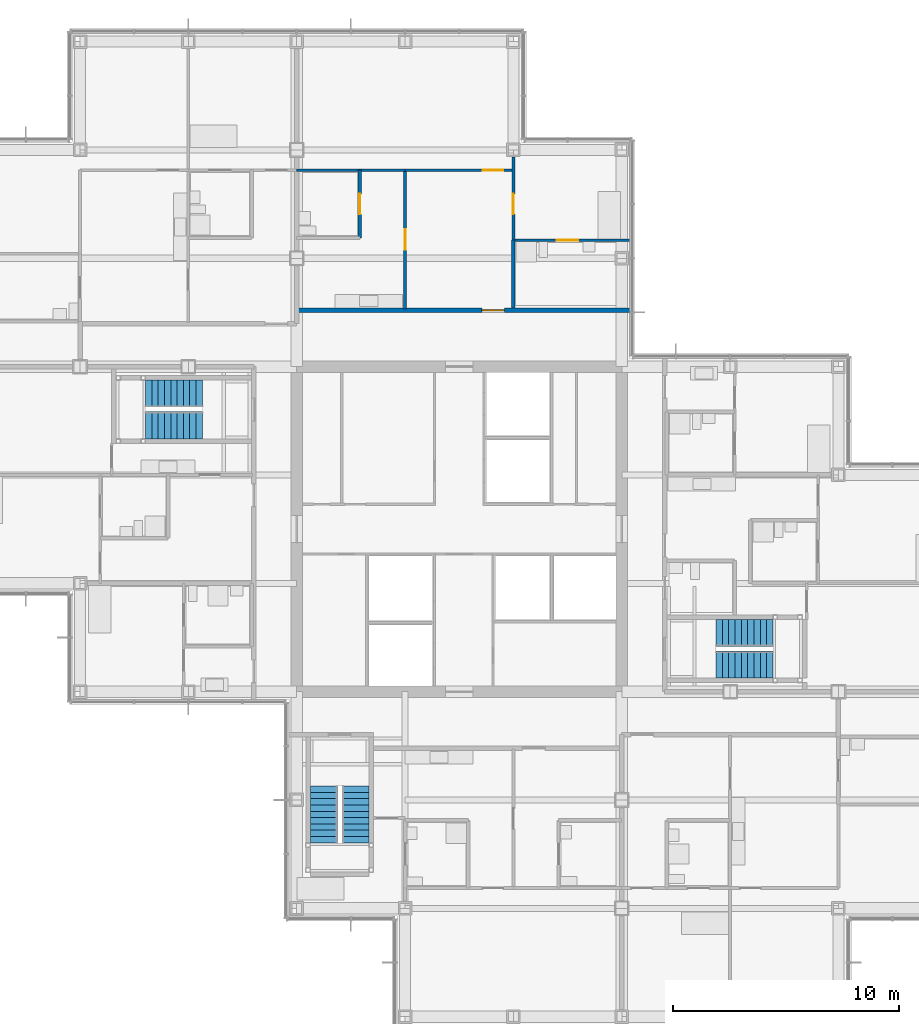
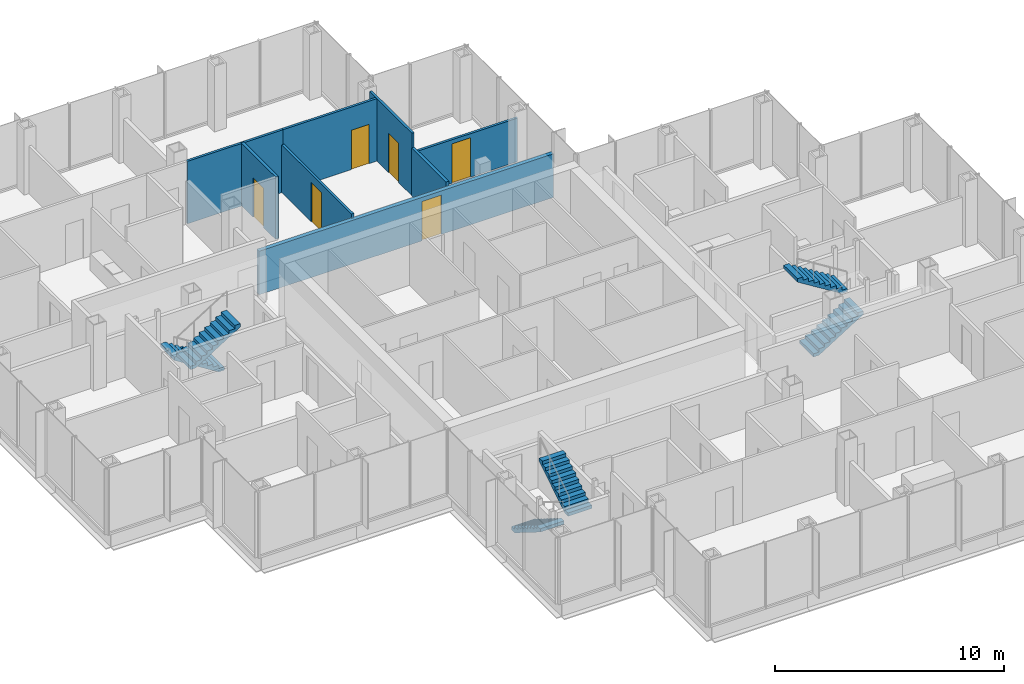
# One storey, part 16 of 19: 8 walls, 6 doors, 6 stair flights, 6 openings, 3 elements without a shape of their own.
"""IFC4 building model written with IfcOpenShell, lengths in metres."""

from ifc_helpers import new_model, si_unit, direction, frame, frame_2d, origin, place, context, subcontext, project, spatial, polyline, rectangle, outline, extrude, material, layer, layer_set, type_object, element, fill, aggregate, save


model = new_model("IFC4")

# Units and contexts
model_context = context("Model", 3, precision=1e-05, world=origin(), true_north=direction((0.0, 1.0)))
body_context = subcontext(model_context, "Body", "Model", "MODEL_VIEW")
ifc_project = project(units=[si_unit("LENGTHUNIT", "METRE"), si_unit("AREAUNIT", "SQUARE_METRE"), si_unit("VOLUMEUNIT", "CUBIC_METRE"), si_unit("PLANEANGLEUNIT", "RADIAN"), si_unit("MASSUNIT", "GRAM", prefix="KILO")], contexts=[model_context])

# Site, building, storey
site_placement = place(None, origin())
site = spatial("IfcSite", under=ifc_project, at=site_placement, CompositionType="ELEMENT")
building_placement = place(site_placement, origin())
building = spatial("IfcBuilding", under=site, at=building_placement, Name="Kvirike Care Tower", CompositionType="ELEMENT")
storey_placement = place(building_placement, frame((0.0, 0.0, 129.5)))
storey = spatial("IfcBuildingStorey", under=building, at=storey_placement, Name="L35", CompositionType="ELEMENT", Elevation=129.5)

# Wall
ifc_material_1 = material(Name="Moisture-resistant board partition", Category="gypsum")
ifc_layer_1 = layer(ifc_material_1, 0.14990234375)
ifc_layer_set_1 = layer_set([ifc_layer_1], Name="BATHROOM WALL 150")
wall_type_1 = type_object("IfcWallType", Name="BATHROOM WALL 150", PredefinedType="PARTITIONING", material=ifc_layer_set_1)
wall_1_placement = place(storey_placement, frame((24.0, 48.800048828125, 0.0), z_axis=(0.0, 0.0, 1.0), x_axis=(0.0, -1.0, 0.0)))
element("IfcWall", 1, at=wall_1_placement, inside=storey, type_object=wall_type_1, Name="Bathroom Wall 150 L35", PredefinedType="PARTITIONING", context=body_context, shape_type="SweptSolid", body=[
    extrude(rectangle(XDim=3.0, YDim=0.14990234375, at=frame_2d((1.5, 0.0))), origin(), (0.0, 0.0, 1.0), 2.550048828125),
])

# Wall, opening, door
wall_2_placement = place(storey_placement, frame((17.199951171875, 51.89990234375, 0.0), z_axis=(0.0, 0.0, 1.0), x_axis=(0.0, -1.0, 0.0)))
wall_2 = element("IfcWall", 2, at=wall_2_placement, inside=storey, type_object=wall_type_1, Name="Bathroom Wall 150 L35", PredefinedType="PARTITIONING", context=body_context, shape_type="SweptSolid", body=[
    extrude(rectangle(XDim=3.0, YDim=0.14990234375, at=frame_2d((1.5, 0.0))), origin(), (0.0, 0.0, 1.0), 3.330078125),
])
opening_1_placement = place(wall_2_placement, frame((1.050048828125, 0.0, 0.0)))
opening_1 = element("IfcOpeningElement", 3, at=opening_1_placement, cuts=wall_2, Name="Opening 35-023", PredefinedType="OPENING", context=body_context, shape_type="SweptSolid", body=[
    extrude(rectangle(XDim=0.89990234375, YDim=2.10009765625, at=frame_2d((0.449951171875, 1.050048828125))), frame((0.0, 0.08544921875, 0.0), z_axis=(0.0, -1.0, 0.0), x_axis=(1.0, 0.0, 0.0)), (0.0, 0.0, 1.0), 0.1708984375),
])
ifc_material_2 = material(Name="Timber door set", Category="wood")
door_type_1 = type_object("IfcDoorType", Name="BATHROOM DOOR 900", OperationType="SINGLE_SWING_RIGHT", PredefinedType="DOOR", material=ifc_material_2)
door_1_placement = place(opening_1_placement, frame((0.89990234375, 0.0, 0.0), z_axis=(0.0, 0.0, 1.0), x_axis=(-1.0, 0.0, 0.0)))
door_1 = element("IfcDoor", 4, at=door_1_placement, inside=storey, type_object=door_type_1, Name="Accessible WC door", OperationType="SINGLE_SWING_RIGHT", OverallHeight=2.10009765625, OverallWidth=0.89990234375, PredefinedType="DOOR", context=body_context, shape_type="SweptSolid", body=[
    extrude(rectangle(XDim=0.89990234375, YDim=2.10009765625, at=frame_2d((0.449951171875, 1.050048828125))), frame((0.0, 0.02197265625, 0.0), z_axis=(0.0, -1.0, 0.0), x_axis=(1.0, 0.0, 0.0)), (0.0, 0.0, 1.0), 0.0439453125),
])
fill(opening_1, door_1)

ifc_material_3 = material(Name="Plasterboard corridor wall", Category="gypsum")
ifc_layer_2 = layer(ifc_material_3, 0.199951171875)
ifc_layer_set_2 = layer_set([ifc_layer_2], Name="CORRIDOR WALL 200")
wall_type_2 = type_object("IfcWallType", Name="CORRIDOR WALL 200", PredefinedType="PARTITIONING", material=ifc_layer_set_2)
wall_3_placement = place(storey_placement, frame((29.239990234375, 45.699951171875, 0.0), z_axis=(0.0, 0.0, 1.0), x_axis=(-1.0, 0.0, 0.0)))
wall_3 = element("IfcWall", 5, at=wall_3_placement, inside=storey, type_object=wall_type_2, Name="Corridor Wall 200 L35", PredefinedType="PARTITIONING", context=body_context, shape_type="SweptSolid", body=[
    extrude(rectangle(XDim=14.840087890625, YDim=0.199951171875, at=frame_2d((7.419921875, 0.0))), origin(), (0.0, 0.0, 1.0), 2.320068359375),
])
opening_2_placement = place(wall_3_placement, frame((5.639892578125, 0.0, 0.0)))
opening_2 = element("IfcOpeningElement", 6, at=opening_2_placement, cuts=wall_3, Name="Opening 35-028", PredefinedType="OPENING", context=body_context, shape_type="SweptSolid", body=[
    extrude(rectangle(XDim=1.0, YDim=2.10009765625, at=frame_2d((0.5, 1.050048828125))), frame((0.0, 0.110595703125, 0.0), z_axis=(0.0, -1.0, 0.0), x_axis=(1.0, 0.0, 0.0)), (0.0, 0.0, 1.0), 0.220947265625),
])
ifc_material_4 = material(Name="Timber door set", Category="wood")
door_type_2 = type_object("IfcDoorType", Name="FLAT ENTRANCE DOOR 1000", OperationType="SINGLE_SWING_LEFT", PredefinedType="DOOR", material=ifc_material_4)
door_2_placement = place(opening_2_placement, frame((1.0, 0.0, 0.0), z_axis=(0.0, 0.0, 1.0), x_axis=(-1.0, 0.0, 0.0)))
door_2 = element("IfcDoor", 7, at=door_2_placement, inside=storey, type_object=door_type_2, Name="Assisted living suite for couples entrance", OperationType="SINGLE_SWING_LEFT", OverallHeight=2.10009765625, OverallWidth=1.0, PredefinedType="DOOR", context=body_context, shape_type="SweptSolid", body=[
    extrude(rectangle(XDim=1.0, YDim=2.10009765625, at=frame_2d((0.5, 1.050048828125))), frame((0.0, 0.02685546875, 0.0), z_axis=(0.0, -1.0, 0.0), x_axis=(1.0, 0.0, 0.0)), (0.0, 0.0, 1.0), 0.053955078125),
])
fill(opening_2, door_2)

ifc_material_5 = material(Name="Plasterboard partition", Category="gypsum")
ifc_layer_3 = layer(ifc_material_5, 0.1201171875)
ifc_layer_set_3 = layer_set([ifc_layer_3], Name="PARTITION 120")
wall_type_3 = type_object("IfcWallType", Name="PARTITION 120", PredefinedType="PARTITIONING", material=ifc_layer_set_3)
wall_4_placement = place(storey_placement, frame((19.199951171875, 51.89990234375, 0.0), z_axis=(0.0, 0.0, 1.0), x_axis=(0.0, -1.0, 0.0)))
wall_4 = element("IfcWall", 8, at=wall_4_placement, inside=storey, type_object=wall_type_3, Name="Partition 120 L35", PredefinedType="PARTITIONING", context=body_context, shape_type="SweptSolid", body=[
    extrude(rectangle(XDim=6.14990234375, YDim=0.1201171875, at=frame_2d((3.074951171875, 0.0))), origin(), (0.0, 0.0, 1.0), 2.550048828125),
])
opening_3_placement = place(wall_4_placement, frame((2.625, 0.0, 0.0)))
opening_3 = element("IfcOpeningElement", 9, at=opening_3_placement, cuts=wall_4, Name="Opening 35-024", PredefinedType="OPENING", context=body_context, shape_type="SweptSolid", body=[
    extrude(rectangle(XDim=0.89990234375, YDim=2.10009765625, at=frame_2d((0.449951171875, 1.050048828125))), frame((0.0, 0.070556640625, 0.0), z_axis=(0.0, -1.0, 0.0), x_axis=(1.0, 0.0, 0.0)), (0.0, 0.0, 1.0), 0.14111328125),
])
ifc_material_6 = material(Name="Timber door set", Category="wood")
door_type_3 = type_object("IfcDoorType", Name="INTERNAL DOOR 900", OperationType="SINGLE_SWING_LEFT", PredefinedType="DOOR", material=ifc_material_6)
door_3_placement = place(opening_3_placement, frame((0.89990234375, 0.0, 0.0), z_axis=(0.0, 0.0, 1.0), x_axis=(-1.0, 0.0, 0.0)))
door_3 = element("IfcDoor", 10, at=door_3_placement, inside=storey, type_object=door_type_3, Name="Hall door", OperationType="SINGLE_SWING_RIGHT", OverallHeight=2.10009765625, OverallWidth=0.89990234375, PredefinedType="DOOR", context=body_context, shape_type="SweptSolid", body=[
    extrude(rectangle(XDim=0.89990234375, YDim=2.10009765625, at=frame_2d((0.449951171875, 1.050048828125))), frame((0.0, 0.02197265625, 0.0), z_axis=(0.0, -1.0, 0.0), x_axis=(1.0, 0.0, 0.0)), (0.0, 0.0, 1.0), 0.0439453125),
])
fill(opening_3, door_3)

wall_5_placement = place(storey_placement, frame((29.239990234375, 48.800048828125, 0.0), z_axis=(0.0, 0.0, 1.0), x_axis=(-1.0, 0.0, 0.0)))
wall_5 = element("IfcWall", 11, at=wall_5_placement, inside=storey, type_object=wall_type_3, Name="Partition 120 L35", PredefinedType="PARTITIONING", context=body_context, shape_type="SweptSolid", body=[
    extrude(rectangle(XDim=5.239990234375, YDim=0.1201171875, at=frame_2d((2.6201171875, 0.0))), origin(), (0.0, 0.0, 1.0), 2.320068359375),
])
opening_4_placement = place(wall_5_placement, frame((2.364990234375, 0.0, 0.0)))
opening_4 = element("IfcOpeningElement", 12, at=opening_4_placement, cuts=wall_5, Name="Opening 35-025", PredefinedType="OPENING", context=body_context, shape_type="SweptSolid", body=[
    extrude(rectangle(XDim=0.949951171875, YDim=2.10009765625, at=frame_2d((0.47509765625, 1.050048828125))), frame((0.0, 0.070556640625, 0.0), z_axis=(0.0, -1.0, 0.0), x_axis=(1.0, 0.0, 0.0)), (0.0, 0.0, 1.0), 0.14111328125),
])
ifc_material_7 = material(Name="Timber door set", Category="wood")
door_type_4 = type_object("IfcDoorType", Name="EN-SUITE SLIDING DOOR 950", OperationType="SLIDING_TO_LEFT", PredefinedType="DOOR", material=ifc_material_7)
door_4_placement = place(opening_4_placement, origin())
door_4 = element("IfcDoor", 13, at=door_4_placement, inside=storey, type_object=door_type_4, Name="En-suite door", OperationType="SLIDING_TO_RIGHT", OverallHeight=2.10009765625, OverallWidth=0.949951171875, PredefinedType="DOOR", context=body_context, shape_type="SweptSolid", body=[
    extrude(rectangle(XDim=0.949951171875, YDim=2.10009765625, at=frame_2d((0.47509765625, 1.050048828125))), frame((0.0, 0.02197265625, 0.0), z_axis=(0.0, -1.0, 0.0), x_axis=(1.0, 0.0, 0.0)), (0.0, 0.0, 1.0), 0.0439453125),
])
fill(opening_4, door_4)

wall_6_placement = place(storey_placement, frame((24.0, 51.89990234375, 0.0), z_axis=(0.0, 0.0, 1.0), x_axis=(-1.0, 0.0, 0.0)))
wall_6 = element("IfcWall", 14, at=wall_6_placement, inside=storey, type_object=wall_type_3, Name="Partition 120 L35", PredefinedType="PARTITIONING", context=body_context, shape_type="SweptSolid", body=[
    extrude(rectangle(XDim=4.800048828125, YDim=0.1201171875, at=frame_2d((2.39990234375, 0.0))), origin(), (0.0, 0.0, 1.0), 3.330078125),
])
opening_5_placement = place(wall_6_placement, frame((0.449951171875, 0.0, 0.0)))
opening_5 = element("IfcOpeningElement", 15, at=opening_5_placement, cuts=wall_6, Name="Opening 35-026", PredefinedType="OPENING", context=body_context, shape_type="SweptSolid", body=[
    extrude(rectangle(XDim=0.89990234375, YDim=2.10009765625, at=frame_2d((0.449951171875, 1.050048828125))), frame((0.0, 0.070556640625, 0.0), z_axis=(0.0, -1.0, 0.0), x_axis=(1.0, 0.0, 0.0)), (0.0, 0.0, 1.0), 0.14111328125),
])
door_5_placement = place(opening_5_placement, origin())
door_5 = element("IfcDoor", 16, at=door_5_placement, inside=storey, type_object=door_type_3, Name="Suite sitting room door", OperationType="SINGLE_SWING_RIGHT", OverallHeight=2.10009765625, OverallWidth=0.89990234375, PredefinedType="DOOR", context=body_context, shape_type="SweptSolid", body=[
    extrude(rectangle(XDim=0.89990234375, YDim=2.10009765625, at=frame_2d((0.449951171875, 1.050048828125))), frame((0.0, 0.02197265625, 0.0), z_axis=(0.0, -1.0, 0.0), x_axis=(1.0, 0.0, 0.0)), (0.0, 0.0, 1.0), 0.0439453125),
])
fill(opening_5, door_5)

# Wall
wall_7_placement = place(storey_placement, frame((19.199951171875, 51.89990234375, 0.0), z_axis=(0.0, 0.0, 1.0), x_axis=(-1.0, 0.0, 0.0)))
element("IfcWall", 17, at=wall_7_placement, inside=storey, type_object=wall_type_3, Name="Partition 120 L35", PredefinedType="PARTITIONING", context=body_context, shape_type="SweptSolid", body=[
    extrude(rectangle(XDim=4.800048828125, YDim=0.1201171875, at=frame_2d((2.39990234375, 0.0))), origin(), (0.0, 0.0, 1.0), 3.330078125),
])

# Wall, opening, door
wall_8_placement = place(storey_placement, frame((24.0, 52.47998046875, 0.0), z_axis=(0.0, 0.0, 1.0), x_axis=(0.0, -1.0, 0.0)))
wall_8 = element("IfcWall", 18, at=wall_8_placement, inside=storey, type_object=wall_type_3, Name="Partition 120 L35", PredefinedType="PARTITIONING", context=body_context, shape_type="SweptSolid", body=[
    extrude(rectangle(XDim=3.679931640625, YDim=0.1201171875, at=frame_2d((1.83984375, 0.0))), origin(), (0.0, 0.0, 1.0), 3.330078125),
])
opening_6_placement = place(wall_8_placement, frame((1.6298828125, 0.0, 0.0)))
opening_6 = element("IfcOpeningElement", 19, at=opening_6_placement, cuts=wall_8, Name="Opening 35-027", PredefinedType="OPENING", context=body_context, shape_type="SweptSolid", body=[
    extrude(rectangle(XDim=0.89990234375, YDim=2.10009765625, at=frame_2d((0.449951171875, 1.050048828125))), frame((0.0, 0.070556640625, 0.0), z_axis=(0.0, -1.0, 0.0), x_axis=(1.0, 0.0, 0.0)), (0.0, 0.0, 1.0), 0.14111328125),
])
door_6_placement = place(opening_6_placement, origin())
door_6 = element("IfcDoor", 20, at=door_6_placement, inside=storey, type_object=door_type_3, Name="Connecting door", OperationType="SINGLE_SWING_LEFT", OverallHeight=2.10009765625, OverallWidth=0.89990234375, PredefinedType="DOOR", context=body_context, shape_type="SweptSolid", body=[
    extrude(rectangle(XDim=0.89990234375, YDim=2.10009765625, at=frame_2d((0.449951171875, 1.050048828125))), frame((0.0, 0.02197265625, 0.0), z_axis=(0.0, -1.0, 0.0), x_axis=(1.0, 0.0, 0.0)), (0.0, 0.0, 1.0), 0.0439453125),
])
fill(opening_6, door_6)

# Stair, stair flights
ifc_material_8 = material(Name="Concrete C35/45", Category="concrete")
stair_type = type_object("IfcStairType", Name="STAIR 20 RISERS", PredefinedType="HALF_TURN_STAIR", material=ifc_material_8)
stair_1_placement = place(storey_placement, origin())
stair_1 = element("IfcStair", 21, at=stair_1_placement, inside=storey, type_object=stair_type, Name="Stair 1 L35", PredefinedType="HALF_TURN_STAIR")
ifc_material_9 = material(Name="Concrete C35/45", Category="concrete")
stair_flight_type = type_object("IfcStairFlightType", Name="FLIGHT 10 RISERS", PredefinedType="STRAIGHT", material=ifc_material_9)
stair_flight_1_placement = place(storey_placement, frame((10.219970703125, 42.0, 0.0), z_axis=(0.0, 0.0, 1.0), x_axis=(-1.0, 0.0, 0.0)))
stair_flight_1 = element("IfcStairFlight", 22, at=stair_flight_1_placement, type_object=stair_flight_type, Name="Stair S1 flight 1 L35-L36", NumberOfRisers=10, NumberOfTreads=9, PredefinedType="STRAIGHT", RiserHeight=0.175, TreadLength=0.28, context=body_context, shape_type="SweptSolid", body=[
    extrude(outline(polyline([(0.0, 0.0), (0.0, 0.175048828125), (0.280029296875, 0.175048828125), (0.280029296875, 0.35009765625), (0.56005859375, 0.35009765625), (0.56005859375, 0.52490234375), (0.840087890625, 0.52490234375), (0.840087890625, 0.699951171875), (1.1201171875, 0.699951171875), (1.1201171875, 0.875), (1.39990234375, 0.875), (1.39990234375, 1.050048828125), (1.679931640625, 1.050048828125), (1.679931640625, 1.22509765625), (1.9599609375, 1.22509765625), (1.9599609375, 1.39990234375), (2.239990234375, 1.39990234375), (2.239990234375, 1.574951171875), (2.52001953125, 1.574951171875), (2.52001953125, 1.75), (2.52001953125, 1.398193359375), (0.28271484375, 0.0), (0.0, 0.0)])), frame((0.0, 0.60009765625, 0.0), z_axis=(0.0, -1.0, 0.0), x_axis=(1.0, 0.0, 0.0)), (0.0, 0.0, 1.0), 1.199951171875),
])
stair_flight_2_placement = place(storey_placement, frame((7.699951171875, 40.60009765625, 1.75), z_axis=(0.0, 0.0, 1.0), x_axis=(1.0, 0.0, 0.0)))
stair_flight_2 = element("IfcStairFlight", 23, at=stair_flight_2_placement, type_object=stair_flight_type, Name="Stair S1 flight 2 L35-L36", NumberOfRisers=10, NumberOfTreads=9, PredefinedType="STRAIGHT", RiserHeight=0.175, TreadLength=0.28, context=body_context, shape_type="SweptSolid", body=[
    extrude(outline(polyline([(0.0, 0.0), (0.0, 0.175048828125), (0.280029296875, 0.175048828125), (0.280029296875, 0.35009765625), (0.56005859375, 0.35009765625), (0.56005859375, 0.52490234375), (0.840087890625, 0.52490234375), (0.840087890625, 0.699951171875), (1.1201171875, 0.699951171875), (1.1201171875, 0.875), (1.39990234375, 0.875), (1.39990234375, 1.050048828125), (1.679931640625, 1.050048828125), (1.679931640625, 1.22509765625), (1.9599609375, 1.22509765625), (1.9599609375, 1.39990234375), (2.239990234375, 1.39990234375), (2.239990234375, 1.574951171875), (2.52001953125, 1.574951171875), (2.52001953125, 1.75), (2.52001953125, 1.398193359375), (0.28271484375, 0.0), (0.0, 0.0)])), frame((0.0, 0.60009765625, 0.0), z_axis=(0.0, -1.0, 0.0), x_axis=(1.0, 0.0, 0.0)), (0.0, 0.0, 1.0), 1.199951171875),
])
aggregate(stair_1, [stair_flight_1, stair_flight_2])

stair_2_placement = place(storey_placement, origin())
stair_2 = element("IfcStair", 24, at=stair_2_placement, inside=storey, type_object=stair_type, Name="Stair 2 L35", PredefinedType="HALF_TURN_STAIR")
stair_flight_3_placement = place(storey_placement, frame((32.97998046875, 30.0, 0.0), z_axis=(0.0, 0.0, 1.0), x_axis=(1.0, 0.0, 0.0)))
stair_flight_3 = element("IfcStairFlight", 25, at=stair_flight_3_placement, type_object=stair_flight_type, Name="Stair S2 flight 1 L35-L36", NumberOfRisers=10, NumberOfTreads=9, PredefinedType="STRAIGHT", RiserHeight=0.175, TreadLength=0.28, context=body_context, shape_type="SweptSolid", body=[
    extrude(outline(polyline([(0.0, 0.0), (0.0, 0.175048828125), (0.280029296875, 0.175048828125), (0.280029296875, 0.35009765625), (0.56005859375, 0.35009765625), (0.56005859375, 0.52490234375), (0.840087890625, 0.52490234375), (0.840087890625, 0.699951171875), (1.1201171875, 0.699951171875), (1.1201171875, 0.875), (1.39990234375, 0.875), (1.39990234375, 1.050048828125), (1.679931640625, 1.050048828125), (1.679931640625, 1.22509765625), (1.9599609375, 1.22509765625), (1.9599609375, 1.39990234375), (2.239990234375, 1.39990234375), (2.239990234375, 1.574951171875), (2.52001953125, 1.574951171875), (2.52001953125, 1.75), (2.52001953125, 1.398193359375), (0.28271484375, 0.0), (0.0, 0.0)])), frame((0.0, 0.60009765625, 0.0), z_axis=(0.0, -1.0, 0.0), x_axis=(1.0, 0.0, 0.0)), (0.0, 0.0, 1.0), 1.199951171875),
])
stair_flight_4_placement = place(storey_placement, frame((35.5, 31.39990234375, 1.75), z_axis=(0.0, 0.0, 1.0), x_axis=(-1.0, 0.0, 0.0)))
stair_flight_4 = element("IfcStairFlight", 26, at=stair_flight_4_placement, type_object=stair_flight_type, Name="Stair S2 flight 2 L35-L36", NumberOfRisers=10, NumberOfTreads=9, PredefinedType="STRAIGHT", RiserHeight=0.175, TreadLength=0.28, context=body_context, shape_type="SweptSolid", body=[
    extrude(outline(polyline([(0.0, 0.0), (0.0, 0.175048828125), (0.280029296875, 0.175048828125), (0.280029296875, 0.35009765625), (0.56005859375, 0.35009765625), (0.56005859375, 0.52490234375), (0.840087890625, 0.52490234375), (0.840087890625, 0.699951171875), (1.1201171875, 0.699951171875), (1.1201171875, 0.875), (1.39990234375, 0.875), (1.39990234375, 1.050048828125), (1.679931640625, 1.050048828125), (1.679931640625, 1.22509765625), (1.9599609375, 1.22509765625), (1.9599609375, 1.39990234375), (2.239990234375, 1.39990234375), (2.239990234375, 1.574951171875), (2.52001953125, 1.574951171875), (2.52001953125, 1.75), (2.52001953125, 1.398193359375), (0.28271484375, 0.0), (0.0, 0.0)])), frame((0.0, 0.60009765625, 0.0), z_axis=(0.0, -1.0, 0.0), x_axis=(1.0, 0.0, 0.0)), (0.0, 0.0, 1.0), 1.199951171875),
])
aggregate(stair_2, [stair_flight_3, stair_flight_4])

stair_3_placement = place(storey_placement, origin())
stair_3 = element("IfcStair", 27, at=stair_3_placement, inside=storey, type_object=stair_type, Name="Stair 5 L35", PredefinedType="HALF_TURN_STAIR")
stair_flight_5_placement = place(storey_placement, frame((15.60009765625, 24.6201171875, 0.0), z_axis=(0.0, 0.0, 1.0), x_axis=(0.0, -1.0, 0.0)))
stair_flight_5 = element("IfcStairFlight", 28, at=stair_flight_5_placement, type_object=stair_flight_type, Name="Stair S5 flight 1 L35-L36", NumberOfRisers=10, NumberOfTreads=9, PredefinedType="STRAIGHT", RiserHeight=0.175, TreadLength=0.28, context=body_context, shape_type="SweptSolid", body=[
    extrude(outline(polyline([(0.0, 0.0), (0.0, 0.175048828125), (0.280029296875, 0.175048828125), (0.280029296875, 0.35009765625), (0.56005859375, 0.35009765625), (0.56005859375, 0.52490234375), (0.840087890625, 0.52490234375), (0.840087890625, 0.699951171875), (1.1201171875, 0.699951171875), (1.1201171875, 0.875), (1.39990234375, 0.875), (1.39990234375, 1.050048828125), (1.679931640625, 1.050048828125), (1.679931640625, 1.22509765625), (1.9599609375, 1.22509765625), (1.9599609375, 1.39990234375), (2.239990234375, 1.39990234375), (2.239990234375, 1.574951171875), (2.52001953125, 1.574951171875), (2.52001953125, 1.75), (2.52001953125, 1.398193359375), (0.28271484375, 0.0), (0.0, 0.0)])), frame((0.0, 0.60009765625, 0.0), z_axis=(0.0, -1.0, 0.0), x_axis=(1.0, 0.0, 0.0)), (0.0, 0.0, 1.0), 1.199951171875),
])
stair_flight_6_placement = place(storey_placement, frame((17.0, 22.10009765625, 1.75), z_axis=(0.0, 0.0, 1.0), x_axis=(0.0, 1.0, 0.0)))
stair_flight_6 = element("IfcStairFlight", 29, at=stair_flight_6_placement, type_object=stair_flight_type, Name="Stair S5 flight 2 L35-L36", NumberOfRisers=10, NumberOfTreads=9, PredefinedType="STRAIGHT", RiserHeight=0.175, TreadLength=0.28, context=body_context, shape_type="SweptSolid", body=[
    extrude(outline(polyline([(0.0, 0.0), (0.0, 0.175048828125), (0.280029296875, 0.175048828125), (0.280029296875, 0.35009765625), (0.56005859375, 0.35009765625), (0.56005859375, 0.52490234375), (0.840087890625, 0.52490234375), (0.840087890625, 0.699951171875), (1.1201171875, 0.699951171875), (1.1201171875, 0.875), (1.39990234375, 0.875), (1.39990234375, 1.050048828125), (1.679931640625, 1.050048828125), (1.679931640625, 1.22509765625), (1.9599609375, 1.22509765625), (1.9599609375, 1.39990234375), (2.239990234375, 1.39990234375), (2.239990234375, 1.574951171875), (2.52001953125, 1.574951171875), (2.52001953125, 1.75), (2.52001953125, 1.398193359375), (0.28271484375, 0.0), (0.0, 0.0)])), frame((0.0, 0.60009765625, 0.0), z_axis=(0.0, -1.0, 0.0), x_axis=(1.0, 0.0, 0.0)), (0.0, 0.0, 1.0), 1.199951171875),
])
aggregate(stair_3, [stair_flight_5, stair_flight_6])

save(model, "model.ifc")
